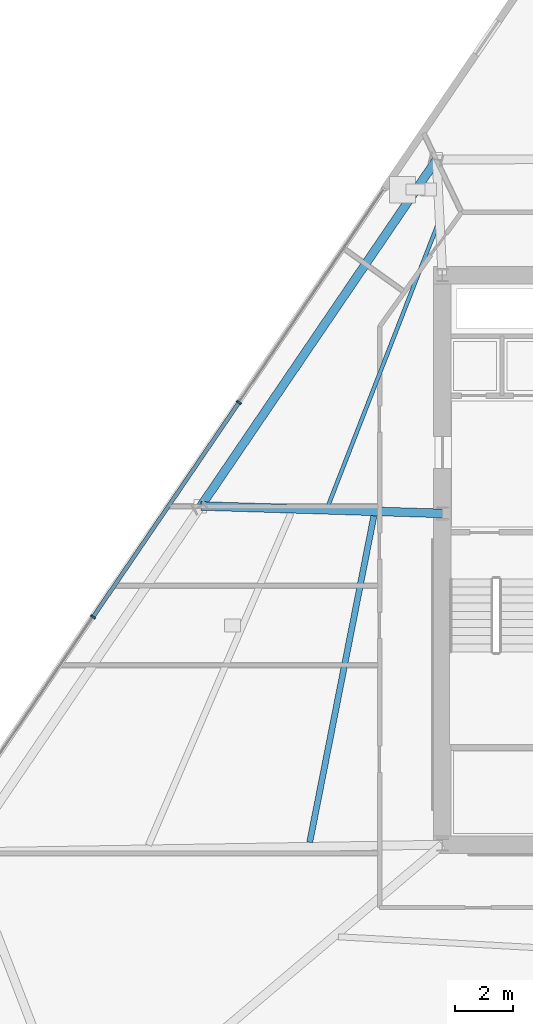
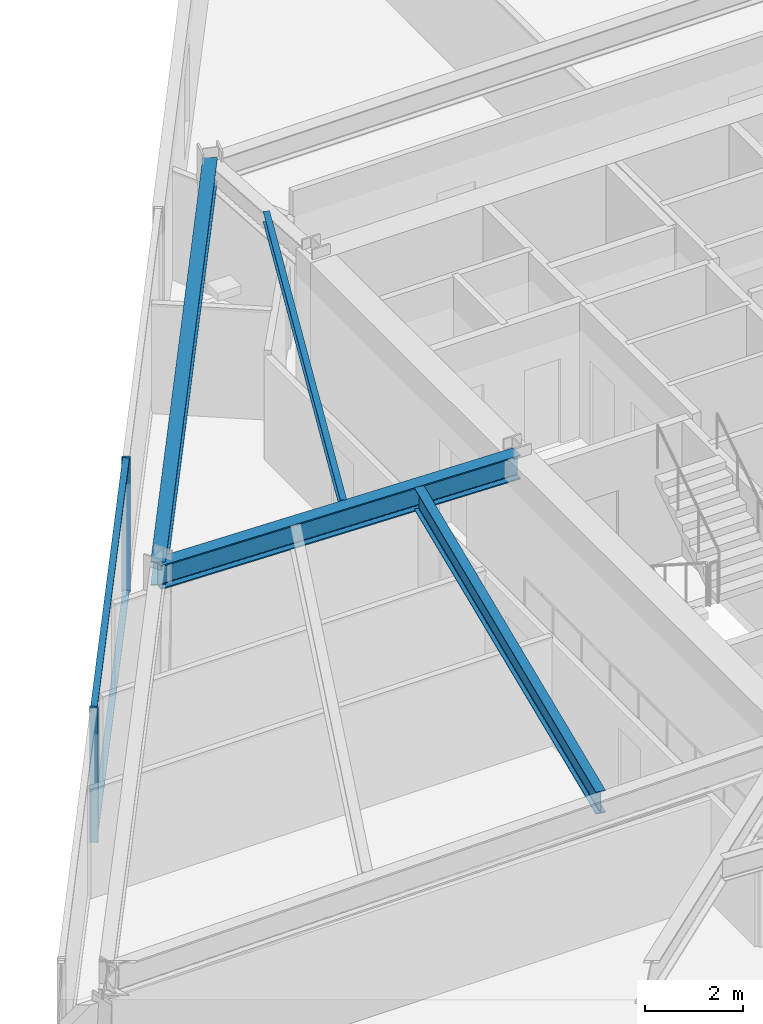
# One storey, part 4 of 16: 4 beams, 4 members, 1 element without a shape of its own.
"""IFC4 building model written with IfcOpenShell, lengths in metres."""

from ifc_helpers import new_model, si_unit, direction, frame, origin, origin_2d, place, context, subcontext, project, spatial, rectangle, i_section, extrude, material, material_profile, profile_set, type_object, element, aggregate, save


model = new_model("IFC4")

# Units and contexts
model_context = context("Model", 3, precision=1e-05, world=origin(), true_north=direction((0.0, 1.0)))
body_context = subcontext(model_context, "Body", "Model", "MODEL_VIEW")
ifc_project = project(units=[si_unit("LENGTHUNIT", "METRE"), si_unit("AREAUNIT", "SQUARE_METRE"), si_unit("VOLUMEUNIT", "CUBIC_METRE"), si_unit("PLANEANGLEUNIT", "RADIAN"), si_unit("MASSUNIT", "GRAM", prefix="KILO")], contexts=[model_context])

# Site, building, storey
site_placement = place(None, origin())
site = spatial("IfcSite", under=ifc_project, at=site_placement, CompositionType="ELEMENT")
building_placement = place(site_placement, origin())
building = spatial("IfcBuilding", under=site, at=building_placement, Name="Savorim Split Tower", CompositionType="ELEMENT")
storey_placement = place(building_placement, frame((0.0, 0.0, 33.60009765625)))
storey = spatial("IfcBuildingStorey", under=building, at=storey_placement, Name="L08", CompositionType="ELEMENT", Elevation=33.60009765625)

# Beams
ifc_material_1 = material(Name="Steel S355", Category="steel")
ifc_material_profile_1 = material_profile(ifc_material_1, i_section(OverallWidth=0.135009765625, OverallDepth=0.27001953125, WebThickness=0.006591796875, FlangeThickness=0.01025390625, FilletRadius=0.014892578125, at=origin_2d()), Name="IPE 270")
ifc_profile_set_1 = profile_set([ifc_material_profile_1], Name="Steel S355")
beam_type_1 = type_object("IfcBeamType", Name="BM-JST-IPE270", PredefinedType="JOIST", material=ifc_profile_set_1)
beam_1_placement = place(storey_placement, frame((-7.85302734375, 11.95849609375, 3.21484375), z_axis=(-0.363156720239, -0.931728070064, 0.0), x_axis=(0.931728070064, -0.363156720239, 0.0)))
element("IfcBeam", 1, at=beam_1_placement, inside=storey, type_object=beam_type_1, Name="L08 Secondary Floor Joist JS-09", PredefinedType="JOIST", context=body_context, shape_type="SweptSolid", body=[
    extrude(i_section(OverallWidth=0.135009765625, OverallDepth=0.27001953125, WebThickness=0.006591796875, FlangeThickness=0.01025390625, FilletRadius=0.014892578125, at=origin_2d()), origin(), (0.0, 0.0, 1.0), 10.39599609375),
])
ifc_material_profile_2 = material_profile(ifc_material_1, i_section(OverallWidth=0.2099609375, OverallDepth=0.550048828125, WebThickness=0.010986328125, FlangeThickness=0.01708984375, FilletRadius=0.02392578125, at=origin_2d()), Name="IPE 550")
ifc_profile_set_2 = profile_set([ifc_material_profile_2], Name="Steel S355")
beam_type_2 = type_object("IfcBeamType", Name="BM-JST-IPE550", PredefinedType="JOIST", material=ifc_profile_set_2)
beam_2_placement = place(storey_placement, frame((-10.056396484375, 1.914794921875, 3.074951171875), z_axis=(-0.192927936597, -0.981212928615, 0.0), x_axis=(0.981212928615, -0.192927936597, 0.0)))
element("IfcBeam", 2, at=beam_2_placement, inside=storey, type_object=beam_type_2, Name="L08 Secondary Floor Joist JS-11", PredefinedType="JOIST", context=body_context, shape_type="SweptSolid", body=[
    extrude(i_section(OverallWidth=0.2099609375, OverallDepth=0.550048828125, WebThickness=0.010986328125, FlangeThickness=0.01708984375, FilletRadius=0.02392578125, at=origin_2d()), origin(), (0.0, 0.0, 1.0), 11.446044921875),
])
ifc_material_profile_3 = material_profile(ifc_material_1, i_section(OverallWidth=0.300048828125, OverallDepth=0.60009765625, WebThickness=0.015380859375, FlangeThickness=0.030029296875, FilletRadius=0.027099609375, at=origin_2d()), Name="HEB 600")
ifc_profile_set_3 = profile_set([ifc_material_profile_3], Name="Steel S355")
beam_type_3 = type_object("IfcBeamType", Name="BM-PRI-HEB600", PredefinedType="BEAM", material=ifc_profile_set_3)
beam_3_placement = place(storey_placement, frame((-16.005126953125, 2.25634765625, 3.0498046875), z_axis=(0.99952398475, -0.030851319419, 0.0), x_axis=(0.030851319419, 0.99952398475, 0.0)))
element("IfcBeam", 3, at=beam_3_placement, inside=storey, type_object=beam_type_3, Name="L08 Primary Floor Girder RG-09", PredefinedType="BEAM", context=body_context, shape_type="SweptSolid", body=[
    extrude(i_section(OverallWidth=0.300048828125, OverallDepth=0.60009765625, WebThickness=0.015380859375, FlangeThickness=0.030029296875, FilletRadius=0.027099609375, at=origin_2d()), origin(), (0.0, 0.0, 1.0), 8.30908203125),
])
ifc_material_profile_4 = material_profile(ifc_material_1, i_section(OverallWidth=0.300048828125, OverallDepth=0.590087890625, WebThickness=0.012939453125, FlangeThickness=0.02490234375, FilletRadius=0.027099609375, at=origin_2d()), Name="HEA 600")
ifc_profile_set_4 = profile_set([ifc_material_profile_4], Name="Steel S355")
beam_type_4 = type_object("IfcBeamType", Name="BM-SPN-HEA600", PredefinedType="SPANDREL", material=ifc_profile_set_4)
beam_4_placement = place(storey_placement, frame((-7.897705078125, 14.17431640625, 3.054931640625), z_axis=(-0.562461967999, -0.826823157969, 0.0), x_axis=(0.826823157969, -0.562461967999, 0.0)))
element("IfcBeam", 4, at=beam_4_placement, inside=storey, type_object=beam_type_4, Name="L08 Perimeter Spandrel Beam 8", PredefinedType="SPANDREL", context=body_context, shape_type="SweptSolid", body=[
    extrude(i_section(OverallWidth=0.300048828125, OverallDepth=0.590087890625, WebThickness=0.012939453125, FlangeThickness=0.02490234375, FilletRadius=0.027099609375, at=origin_2d()), origin(), (0.0, 0.0, 1.0), 14.4140625),
])

# Curtain wall, members
ifc_material_2 = material(Name="Dark Ceramic-Fritted Insulated Glass", Category="glass")
curtain_wall_type = type_object("IfcCurtainWallType", Name="CW-TWR-FRIT-A", PredefinedType="NOTDEFINED", material=ifc_material_2)
curtain_wall_placement = place(storey_placement, origin())
curtain_wall = element("IfcCurtainWall", 5, at=curtain_wall_placement, inside=storey, type_object=curtain_wall_type, Name="L08 Curtain Wall CW-L08-WEST", PredefinedType="NOTDEFINED")
ifc_material_3 = material(Name="Charcoal Anodised Aluminium", Category="aluminium")
ifc_material_profile_5 = material_profile(ifc_material_3, rectangle(XDim=0.179931640625, YDim=0.06494140625, at=origin_2d()), Name="ALU-M 180x65")
ifc_profile_set_5 = profile_set([ifc_material_profile_5], Name="Charcoal Anodised Aluminium")
member_type_1 = type_object("IfcMemberType", Name="CWM-180x65", PredefinedType="MULLION", material=ifc_profile_set_5)
member_1_placement = place(storey_placement, frame((-14.700927734375, 5.81591796875, 0.0), z_axis=(0.0, 0.0, 1.0), x_axis=(0.826820923165, -0.562465253164, 0.0)))
member_1 = element("IfcMember", 6, at=member_1_placement, type_object=member_type_1, Name="CW-02 mullion 2", PredefinedType="MULLION", context=body_context, shape_type="SweptSolid", body=[
    extrude(rectangle(XDim=0.179931640625, YDim=0.06494140625, at=origin_2d()), origin(), (0.0, 0.0, 1.0), 3.349853515625),
])
member_2_placement = place(storey_placement, frame((-19.718017578125, -1.55908203125, 0.0), z_axis=(0.0, 0.0, 1.0), x_axis=(0.826820923165, -0.562465253164, 0.0)))
member_2 = element("IfcMember", 7, at=member_2_placement, type_object=member_type_1, Name="CW-02 mullion 3", PredefinedType="MULLION", context=body_context, shape_type="SweptSolid", body=[
    extrude(rectangle(XDim=0.179931640625, YDim=0.06494140625, at=origin_2d()), origin(), (0.0, 0.0, 1.0), 3.349853515625),
])
ifc_material_profile_6 = material_profile(ifc_material_3, rectangle(XDim=0.139892578125, YDim=0.054931640625, at=origin_2d()), Name="ALU-T 140x55")
ifc_profile_set_6 = profile_set([ifc_material_profile_6], Name="Charcoal Anodised Aluminium")
member_type_2 = type_object("IfcMemberType", Name="CWT-140x55", PredefinedType="USERDEFINED", material=ifc_profile_set_6)
member_3_placement = place(storey_placement, frame((-14.71923828125, 5.7890625, 0.02734375), z_axis=(-0.562463858464, -0.826821871942, 0.0), x_axis=(0.826821871942, -0.562463858464, 0.0)))
member_3 = element("IfcMember", 8, at=member_3_placement, type_object=member_type_2, Name="CW-02 transom 2.1", ObjectType="TRANSOM", PredefinedType="USERDEFINED", context=body_context, shape_type="SweptSolid", body=[
    extrude(rectangle(XDim=0.139892578125, YDim=0.054931640625, at=origin_2d()), origin(), (0.0, 0.0, 1.0), 8.854736328125),
])
member_4_placement = place(storey_placement, frame((-14.71923828125, 5.7890625, 3.322509765625), z_axis=(-0.562463858464, -0.826821871942, 0.0), x_axis=(0.826821871942, -0.562463858464, 0.0)))
member_4 = element("IfcMember", 9, at=member_4_placement, type_object=member_type_2, Name="CW-02 transom 2.2", ObjectType="TRANSOM", PredefinedType="USERDEFINED", context=body_context, shape_type="SweptSolid", body=[
    extrude(rectangle(XDim=0.139892578125, YDim=0.054931640625, at=origin_2d()), origin(), (0.0, 0.0, 1.0), 8.854736328125),
])
aggregate(curtain_wall, [member_1, member_2, member_3, member_4])

save(model, "model.ifc")
